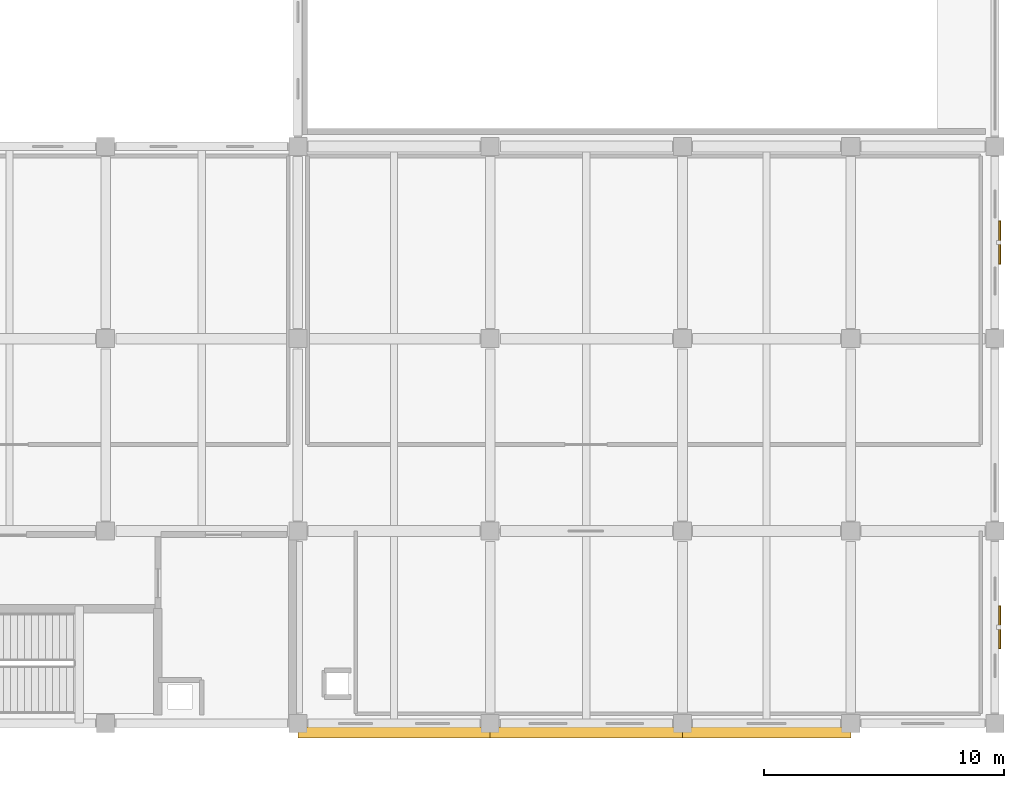
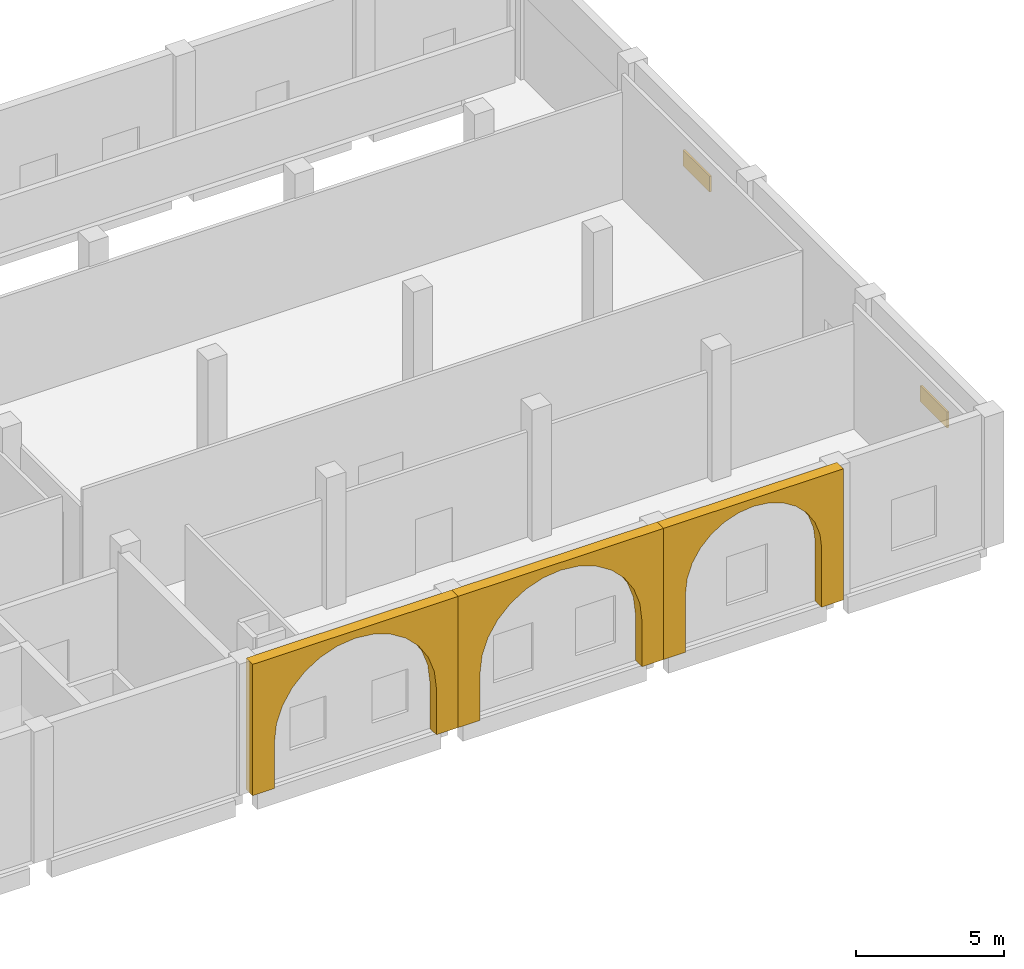
# One storey, part 39 of 40: 3 coverings, 2 shading devices.
"""IFC4 building model written with IfcOpenShell, lengths in metres."""

from ifc_helpers import new_model, si_unit, direction, frame, origin, origin_2d, place, context, subcontext, project, spatial, polyline, rectangle, outline, extrude, material, layer, layer_set, type_object, element, save


model = new_model("IFC4")

# Units and contexts
model_context = context("Model", 3, precision=1e-05, world=origin(), true_north=direction((0.0, 1.0)))
body_context = subcontext(model_context, "Body", "Model", "MODEL_VIEW")
ifc_project = project(units=[si_unit("LENGTHUNIT", "METRE"), si_unit("AREAUNIT", "SQUARE_METRE"), si_unit("VOLUMEUNIT", "CUBIC_METRE"), si_unit("PLANEANGLEUNIT", "RADIAN"), si_unit("MASSUNIT", "GRAM", prefix="KILO")], contexts=[model_context])

# Site, building, storey
site_placement = place(None, origin())
site = spatial("IfcSite", under=ifc_project, at=site_placement, CompositionType="ELEMENT")
building_placement = place(site_placement, origin())
building = spatial("IfcBuilding", under=site, at=building_placement, Name="Qorikala Patio Media Centre", CompositionType="ELEMENT")
storey_placement = place(building_placement, origin())
storey = spatial("IfcBuildingStorey", under=building, at=storey_placement, Name="L00", CompositionType="ELEMENT", Elevation=0.0)

# Coverings
ifc_material_1 = material(Name="Comanche Granite Ashlar Stone", Category="masonry")
ifc_layer_1 = layer(ifc_material_1, 0.06005859375)
ifc_layer_set_1 = layer_set([ifc_layer_1], Name="Comanche Granite Ashlar Stone")
covering_type = type_object("IfcCoveringType", Name="COV-CLAD-STONE", PredefinedType="CLADDING", material=ifc_layer_set_1)
for number, where, z_axis, x_axis, name in (
    (1, (138.0, 2.6201171875, 0.0), (0.0, 0.0, 1.0), (1.0, 0.0, 0.0), "Spanish Colonial Stone Arched Arcade PORT-S12"),
    (2, (146.0, 2.6201171875, 0.0), (0.0, 0.0, 1.0), (1.0, 0.0, 0.0), "Spanish Colonial Stone Arched Arcade PORT-S13"),
):
    element("IfcCovering", number, at=place(storey_placement, frame(where, z_axis=z_axis, x_axis=x_axis)), inside=storey, type_object=covering_type, Name=name, PredefinedType="CLADDING", context=body_context, shape_type="SweptSolid", body=[
        extrude(outline(polyline([(0.0, 0.0), (0.85009765625, 0.0), (0.85009765625, 1.929931640625), (0.928955078125, 2.630859375), (1.161865234375, 3.296630859375), (1.537109375, 3.893798828125), (2.035888671875, 4.392578125), (2.63330078125, 4.76806640625), (3.299072265625, 5.0009765625), (4.0, 5.079833984375), (4.700927734375, 5.0009765625), (5.36669921875, 4.76806640625), (5.964111328125, 4.392578125), (6.462890625, 3.893798828125), (6.838134765625, 3.296630859375), (7.071044921875, 2.630859375), (7.14990234375, 1.929931640625), (7.14990234375, 0.0), (8.0, 0.0), (8.0, 5.39990234375), (0.0, 5.39990234375), (0.0, 0.0)])), frame((0.0, 0.219970703125, 0.0), z_axis=(0.0, -1.0, 0.0), x_axis=(1.0, 0.0, 0.0)), (0.0, 0.0, 1.0), 0.43994140625),
    ])
covering_placement = place(storey_placement, frame((154.0, 2.6201171875, 0.0), z_axis=(0.0, 0.0, 1.0), x_axis=(1.0, 0.0, 0.0)))
element("IfcCovering", 3, at=covering_placement, inside=storey, type_object=covering_type, Name="Spanish Colonial Stone Arched Arcade PORT-S14", PredefinedType="CLADDING", context=body_context, shape_type="SweptSolid", body=[
    extrude(outline(polyline([(0.0, 0.0), (0.85009765625, 0.0), (0.85009765625, 2.429931640625), (0.91650390625, 3.01953125), (1.1123046875, 3.57958984375), (1.427978515625, 4.082275390625), (1.847900390625, 4.501708984375), (2.35009765625, 4.8173828125), (2.910400390625, 5.013427734375), (3.5, 5.079833984375), (4.089599609375, 5.013427734375), (4.64990234375, 4.8173828125), (5.152099609375, 4.501708984375), (5.572021484375, 4.082275390625), (5.8876953125, 3.57958984375), (6.08349609375, 3.01953125), (6.14990234375, 2.429931640625), (6.14990234375, 0.0), (7.0, 0.0), (7.0, 5.39990234375), (0.0, 5.39990234375), (0.0, 0.0)])), frame((0.0, 0.219970703125, 0.0), z_axis=(0.0, -1.0, 0.0), x_axis=(1.0, 0.0, 0.0)), (0.0, 0.0, 1.0), 0.43994140625),
])

# Shading devices
ifc_material_2 = material(Name="Bronze Anodised Aluminium", Category="aluminium")
ifc_layer_2 = layer(ifc_material_2, 0.080078125)
ifc_layer_set_2 = layer_set([ifc_layer_2], Name="Bronze Anodised Aluminium")
shading_device_type = type_object("IfcShadingDeviceType", Name="SHD-LOUVRE", PredefinedType="JALOUSIE", material=ifc_layer_set_2)
for number, where, z_axis, x_axis, name in (
    (4, (167.199951171875, 23.0, 2.675048828125), (0.0, 0.0, 1.0), (0.0, -1.0, 0.0), "L00 Acoustic Intake Louvre 001"),
    (5, (167.199951171875, 7.0, 2.675048828125), (0.0, 0.0, 1.0), (0.0, -1.0, 0.0), "L00 Acoustic Intake Louvre 002"),
):
    element("IfcShadingDevice", number, at=place(storey_placement, frame(where, z_axis=z_axis, x_axis=x_axis)), inside=storey, type_object=shading_device_type, Name=name, PredefinedType="JALOUSIE", context=body_context, shape_type="SweptSolid", body=[
        extrude(rectangle(XDim=1.800048828125, YDim=0.080078125, at=origin_2d()), origin(), (0.0, 0.0, 1.0), 0.64990234375),
    ])

save(model, "model.ifc")
